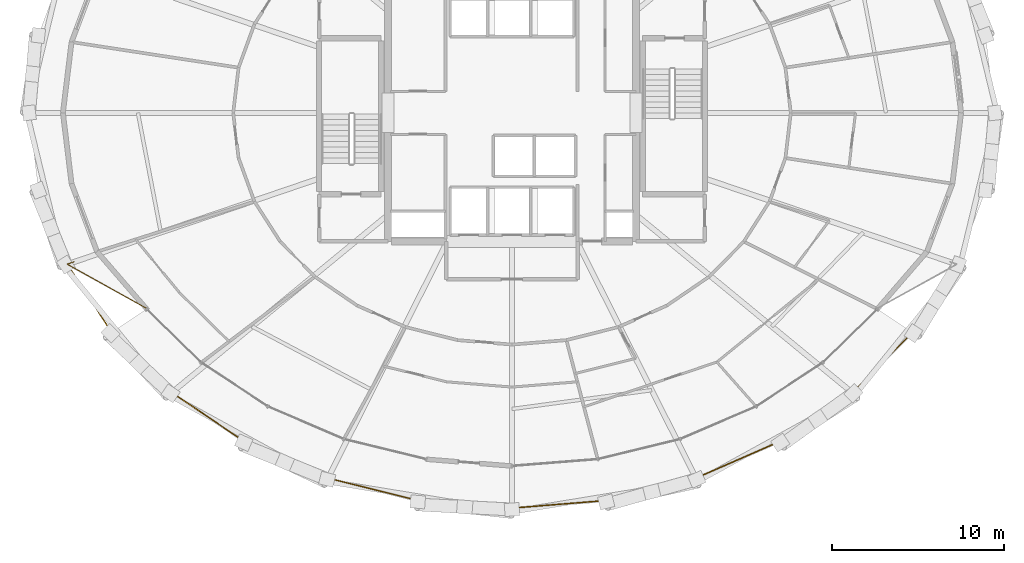
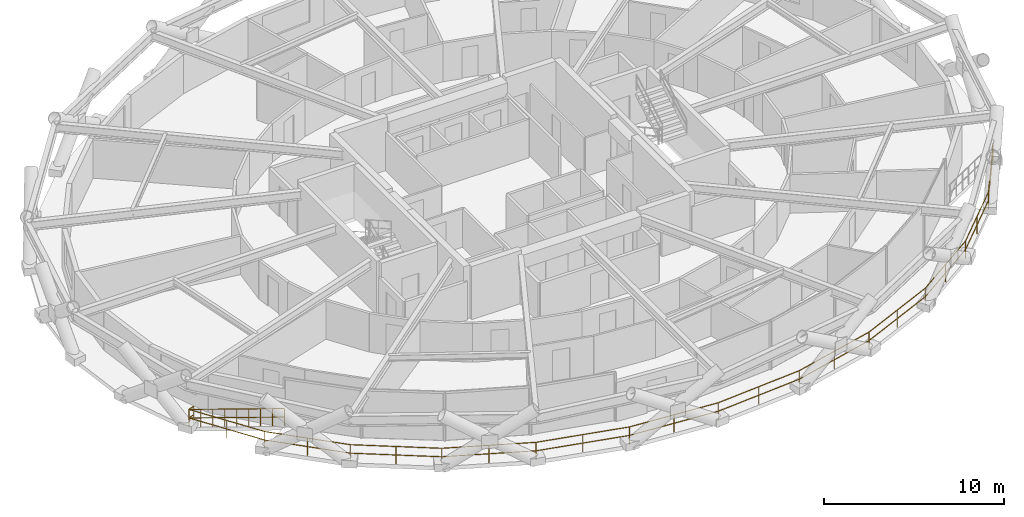
# One storey, part 17 of 18: 2 railings.
"""IFC4 building model written with IfcOpenShell, lengths in metres."""

from ifc_helpers import new_model, si_unit, direction, frame, origin, origin_2d, place, context, subcontext, project, spatial, circle, extrude, material, type_object, element, save


model = new_model("IFC4")

# Units and contexts
model_context = context("Model", 3, precision=1e-05, world=origin(), true_north=direction((0.0, 1.0)))
body_context = subcontext(model_context, "Body", "Model", "MODEL_VIEW")
ifc_project = project(units=[si_unit("LENGTHUNIT", "METRE"), si_unit("AREAUNIT", "SQUARE_METRE"), si_unit("VOLUMEUNIT", "CUBIC_METRE"), si_unit("PLANEANGLEUNIT", "RADIAN"), si_unit("MASSUNIT", "GRAM", prefix="KILO")], contexts=[model_context])

# Site, building, storey
site_placement = place(None, origin())
site = spatial("IfcSite", under=ifc_project, at=site_placement, CompositionType="ELEMENT")
building_placement = place(site_placement, origin())
building = spatial("IfcBuilding", under=site, at=building_placement, Name="Veldorina Hangang Commons", CompositionType="ELEMENT")
storey_placement = place(building_placement, frame((0.0, 0.0, 41.199951171875)))
storey = spatial("IfcBuildingStorey", under=building, at=storey_placement, Name="L09", CompositionType="ELEMENT", Elevation=41.199951171875)

# Railings
ifc_material = material(Name="Glass Laminated Safety Balustrade", Category="glass")
railing_type = type_object("IfcRailingType", Name="RL-BAL-LOGGIA", PredefinedType="BALUSTRADE", material=ifc_material)
railing_1_placement = place(storey_placement, frame((6.60888671875, 15.361083984375, 0.0)))
element("IfcRailing", 1, at=railing_1_placement, inside=storey, type_object=railing_type, Name="L09 sky-garden loggia end balustrade A", PredefinedType="BALUSTRADE", context=body_context, shape_type="SweptSolid", body=[
    extrude(circle(Radius=0.02392578125, at=origin_2d()), frame((0.0, 0.0, 1.17578125), z_axis=(-0.946747944292, -0.321975666751, 0.0), x_axis=(0.321975666751, -0.946747944292, 0.0)), (0.0, 0.0, 1.0), 0.420166015625),
    extrude(circle(Radius=0.02392578125, at=origin_2d()), frame((0.0, 0.0, 0.60009765625), z_axis=(-0.946747944292, -0.321975666751, 0.0), x_axis=(0.321975666751, -0.946747944292, 0.0)), (0.0, 0.0, 1.0), 0.420166015625),
    extrude(circle(Radius=0.02392578125, at=origin_2d()), frame((-0.397705078125, -0.13525390625, 1.17578125), z_axis=(0.873870962413, -0.486157938382, 0.0), x_axis=(0.486157938382, 0.873870962413, 0.0)), (0.0, 0.0, 1.0), 5.31201171875),
    extrude(circle(Radius=0.02392578125, at=origin_2d()), frame((-0.397705078125, -0.13525390625, 0.60009765625), z_axis=(0.873870962413, -0.486157938382, 0.0), x_axis=(0.486157938382, 0.873870962413, 0.0)), (0.0, 0.0, 1.0), 5.31201171875),
    extrude(circle(Radius=0.02099609375, at=origin_2d()), origin(), (0.0, 0.0, 1.0), 1.15185546875),
    extrude(circle(Radius=0.02099609375, at=origin_2d()), frame((-0.397705078125, -0.13525390625, 0.0)), (0.0, 0.0, 1.0), 1.15185546875),
    extrude(circle(Radius=0.02099609375, at=origin_2d()), frame((0.1826171875, -0.4580078125, 0.0)), (0.0, 0.0, 1.0), 1.15185546875),
    extrude(circle(Radius=0.02099609375, at=origin_2d()), frame((0.7626953125, -0.78076171875, 0.0)), (0.0, 0.0, 1.0), 1.15185546875),
    extrude(circle(Radius=0.02099609375, at=origin_2d()), frame((1.343017578125, -1.103759765625, 0.0)), (0.0, 0.0, 1.0), 1.15185546875),
    extrude(circle(Radius=0.02099609375, at=origin_2d()), frame((1.92333984375, -1.426513671875, 0.0)), (0.0, 0.0, 1.0), 1.15185546875),
    extrude(circle(Radius=0.02099609375, at=origin_2d()), frame((2.503662109375, -1.749267578125, 0.0)), (0.0, 0.0, 1.0), 1.15185546875),
    extrude(circle(Radius=0.02099609375, at=origin_2d()), frame((3.083984375, -2.072265625, 0.0)), (0.0, 0.0, 1.0), 1.15185546875),
    extrude(circle(Radius=0.02099609375, at=origin_2d()), frame((3.6640625, -2.39501953125, 0.0)), (0.0, 0.0, 1.0), 1.15185546875),
    extrude(circle(Radius=0.02099609375, at=origin_2d()), frame((4.244384765625, -2.7177734375, 0.0)), (0.0, 0.0, 1.0), 1.15185546875),
])
railing_2_placement = place(storey_placement, frame((6.211181640625, 15.225830078125, 0.0)))
element("IfcRailing", 2, at=railing_2_placement, inside=storey, type_object=railing_type, Name="L09 sky-garden loggia outer balustrade", PredefinedType="BALUSTRADE", context=body_context, shape_type="SweptSolid", body=[
    extrude(circle(Radius=0.02392578125, at=origin_2d()), frame((0.0, 0.0, 1.17578125), z_axis=(0.545829962805, -0.837895967113, 0.0), x_axis=(0.837895967113, 0.545829962805, 0.0)), (0.0, 0.0, 1.0), 4.7294921875),
    extrude(circle(Radius=0.02392578125, at=origin_2d()), frame((0.0, 0.0, 0.60009765625), z_axis=(0.545829962805, -0.837895967113, 0.0), x_axis=(0.837895967113, 0.545829962805, 0.0)), (0.0, 0.0, 1.0), 4.7294921875),
    extrude(circle(Radius=0.02392578125, at=origin_2d()), frame((2.58154296875, -3.962890625, 1.17578125), z_axis=(0.70720619167, -0.707007356725, 0.0), x_axis=(0.707007356725, 0.70720619167, 0.0)), (0.0, 0.0, 1.0), 4.911376953125),
    extrude(circle(Radius=0.02392578125, at=origin_2d()), frame((2.58154296875, -3.962890625, 0.60009765625), z_axis=(0.70720619167, -0.707007356725, 0.0), x_axis=(0.707007356725, 0.70720619167, 0.0)), (0.0, 0.0, 1.0), 4.911376953125),
    extrude(circle(Radius=0.02392578125, at=origin_2d()), frame((6.054931640625, -7.435302734375, 1.17578125), z_axis=(0.829530605325, -0.558461256337, 0.0), x_axis=(0.558461256337, 0.829530605325, 0.0)), (0.0, 0.0, 1.0), 5.100341796875),
    extrude(circle(Radius=0.02392578125, at=origin_2d()), frame((6.054931640625, -7.435302734375, 0.60009765625), z_axis=(0.829530605325, -0.558461256337, 0.0), x_axis=(0.558461256337, 0.829530605325, 0.0)), (0.0, 0.0, 1.0), 5.100341796875),
    extrude(circle(Radius=0.02392578125, at=origin_2d()), frame((10.285888671875, -10.28369140625, 1.17578125), z_axis=(0.915836942479, -0.401550363953, 0.0), x_axis=(0.401550363953, 0.915836942479, 0.0)), (0.0, 0.0, 1.0), 5.268798828125),
    extrude(circle(Radius=0.02392578125, at=origin_2d()), frame((10.285888671875, -10.28369140625, 0.60009765625), z_axis=(0.915836942479, -0.401550363953, 0.0), x_axis=(0.401550363953, 0.915836942479, 0.0)), (0.0, 0.0, 1.0), 5.268798828125),
    extrude(circle(Radius=0.02392578125, at=origin_2d()), frame((15.111328125, -12.3994140625, 1.17578125), z_axis=(0.970432005844, -0.24137465077, 0.0), x_axis=(0.24137465077, 0.970432005844, 0.0)), (0.0, 0.0, 1.0), 5.39404296875),
    extrude(circle(Radius=0.02392578125, at=origin_2d()), frame((15.111328125, -12.3994140625, 0.60009765625), z_axis=(0.970432005844, -0.24137465077, 0.0), x_axis=(0.24137465077, 0.970432005844, 0.0)), (0.0, 0.0, 1.0), 5.39404296875),
    extrude(circle(Radius=0.02392578125, at=origin_2d()), frame((20.345947265625, -13.701416015625, 1.17578125), z_axis=(0.996752851933, -0.080521749634, 0.0), x_axis=(0.080521749634, 0.996752851933, 0.0)), (0.0, 0.0, 1.0), 5.460693359375),
    extrude(circle(Radius=0.02392578125, at=origin_2d()), frame((20.345947265625, -13.701416015625, 0.60009765625), z_axis=(0.996752851933, -0.080521749634, 0.0), x_axis=(0.080521749634, 0.996752851933, 0.0)), (0.0, 0.0, 1.0), 5.460693359375),
    extrude(circle(Radius=0.02392578125, at=origin_2d()), frame((25.788818359375, -14.14111328125, 1.17578125), z_axis=(0.996752851933, 0.080521749634, 0.0), x_axis=(-0.080521749634, 0.996752851933, 0.0)), (0.0, 0.0, 1.0), 5.460693359375),
    extrude(circle(Radius=0.02392578125, at=origin_2d()), frame((25.788818359375, -14.14111328125, 0.60009765625), z_axis=(0.996752851933, 0.080521749634, 0.0), x_axis=(-0.080521749634, 0.996752851933, 0.0)), (0.0, 0.0, 1.0), 5.460693359375),
    extrude(circle(Radius=0.02392578125, at=origin_2d()), frame((31.231689453125, -13.701416015625, 1.17578125), z_axis=(0.970432005844, 0.24137465077, 0.0), x_axis=(-0.24137465077, 0.970432005844, 0.0)), (0.0, 0.0, 1.0), 5.39404296875),
    extrude(circle(Radius=0.02392578125, at=origin_2d()), frame((31.231689453125, -13.701416015625, 0.60009765625), z_axis=(0.970432005844, 0.24137465077, 0.0), x_axis=(-0.24137465077, 0.970432005844, 0.0)), (0.0, 0.0, 1.0), 5.39404296875),
    extrude(circle(Radius=0.02392578125, at=origin_2d()), frame((36.46630859375, -12.3994140625, 1.17578125), z_axis=(0.915836942479, 0.401550363953, 0.0), x_axis=(-0.401550363953, 0.915836942479, 0.0)), (0.0, 0.0, 1.0), 5.268798828125),
    extrude(circle(Radius=0.02392578125, at=origin_2d()), frame((36.46630859375, -12.3994140625, 0.60009765625), z_axis=(0.915836942479, 0.401550363953, 0.0), x_axis=(-0.401550363953, 0.915836942479, 0.0)), (0.0, 0.0, 1.0), 5.268798828125),
    extrude(circle(Radius=0.02392578125, at=origin_2d()), frame((41.291748046875, -10.28369140625, 1.17578125), z_axis=(0.829530605325, 0.558461256337, 0.0), x_axis=(-0.558461256337, 0.829530605325, 0.0)), (0.0, 0.0, 1.0), 5.100341796875),
    extrude(circle(Radius=0.02392578125, at=origin_2d()), frame((41.291748046875, -10.28369140625, 0.60009765625), z_axis=(0.829530605325, 0.558461256337, 0.0), x_axis=(-0.558461256337, 0.829530605325, 0.0)), (0.0, 0.0, 1.0), 5.100341796875),
    extrude(circle(Radius=0.02392578125, at=origin_2d()), frame((45.522705078125, -7.435302734375, 1.17578125), z_axis=(0.70720619167, 0.707007356725, 0.0), x_axis=(-0.707007356725, 0.70720619167, 0.0)), (0.0, 0.0, 1.0), 4.911376953125),
    extrude(circle(Radius=0.02392578125, at=origin_2d()), frame((45.522705078125, -7.435302734375, 0.60009765625), z_axis=(0.70720619167, 0.707007356725, 0.0), x_axis=(-0.707007356725, 0.70720619167, 0.0)), (0.0, 0.0, 1.0), 4.911376953125),
    extrude(circle(Radius=0.02392578125, at=origin_2d()), frame((48.99609375, -3.962890625, 1.17578125), z_axis=(0.545829962805, 0.837895967113, 0.0), x_axis=(-0.837895967113, 0.545829962805, 0.0)), (0.0, 0.0, 1.0), 4.7294921875),
    extrude(circle(Radius=0.02392578125, at=origin_2d()), frame((48.99609375, -3.962890625, 0.60009765625), z_axis=(0.545829962805, 0.837895967113, 0.0), x_axis=(-0.837895967113, 0.545829962805, 0.0)), (0.0, 0.0, 1.0), 4.7294921875),
    extrude(circle(Radius=0.02099609375, at=origin_2d()), origin(), (0.0, 0.0, 1.0), 1.15185546875),
    extrude(circle(Radius=0.02099609375, at=origin_2d()), frame((1.290771484375, -1.9814453125, 0.0)), (0.0, 0.0, 1.0), 1.15185546875),
    extrude(circle(Radius=0.02099609375, at=origin_2d()), frame((2.58154296875, -3.962890625, 0.0)), (0.0, 0.0, 1.0), 1.15185546875),
    extrude(circle(Radius=0.02099609375, at=origin_2d()), frame((4.318359375, -5.69921875, 0.0)), (0.0, 0.0, 1.0), 1.15185546875),
    extrude(circle(Radius=0.02099609375, at=origin_2d()), frame((6.054931640625, -7.435302734375, 0.0)), (0.0, 0.0, 1.0), 1.15185546875),
    extrude(circle(Radius=0.02099609375, at=origin_2d()), frame((8.17041015625, -8.859375, 0.0)), (0.0, 0.0, 1.0), 1.15185546875),
    extrude(circle(Radius=0.02099609375, at=origin_2d()), frame((10.285888671875, -10.28369140625, 0.0)), (0.0, 0.0, 1.0), 1.15185546875),
    extrude(circle(Radius=0.02099609375, at=origin_2d()), frame((12.69873046875, -11.341552734375, 0.0)), (0.0, 0.0, 1.0), 1.15185546875),
    extrude(circle(Radius=0.02099609375, at=origin_2d()), frame((15.111328125, -12.3994140625, 0.0)), (0.0, 0.0, 1.0), 1.15185546875),
    extrude(circle(Radius=0.02099609375, at=origin_2d()), frame((17.728515625, -13.05029296875, 0.0)), (0.0, 0.0, 1.0), 1.15185546875),
    extrude(circle(Radius=0.02099609375, at=origin_2d()), frame((20.345947265625, -13.701416015625, 0.0)), (0.0, 0.0, 1.0), 1.15185546875),
    extrude(circle(Radius=0.02099609375, at=origin_2d()), frame((23.0673828125, -13.92138671875, 0.0)), (0.0, 0.0, 1.0), 1.15185546875),
    extrude(circle(Radius=0.02099609375, at=origin_2d()), frame((25.788818359375, -14.14111328125, 0.0)), (0.0, 0.0, 1.0), 1.15185546875),
    extrude(circle(Radius=0.02099609375, at=origin_2d()), frame((28.51025390625, -13.92138671875, 0.0)), (0.0, 0.0, 1.0), 1.15185546875),
    extrude(circle(Radius=0.02099609375, at=origin_2d()), frame((31.231689453125, -13.701416015625, 0.0)), (0.0, 0.0, 1.0), 1.15185546875),
    extrude(circle(Radius=0.02099609375, at=origin_2d()), frame((33.84912109375, -13.05029296875, 0.0)), (0.0, 0.0, 1.0), 1.15185546875),
    extrude(circle(Radius=0.02099609375, at=origin_2d()), frame((36.46630859375, -12.3994140625, 0.0)), (0.0, 0.0, 1.0), 1.15185546875),
    extrude(circle(Radius=0.02099609375, at=origin_2d()), frame((38.87890625, -11.341552734375, 0.0)), (0.0, 0.0, 1.0), 1.15185546875),
    extrude(circle(Radius=0.02099609375, at=origin_2d()), frame((41.291748046875, -10.28369140625, 0.0)), (0.0, 0.0, 1.0), 1.15185546875),
    extrude(circle(Radius=0.02099609375, at=origin_2d()), frame((43.4072265625, -8.859375, 0.0)), (0.0, 0.0, 1.0), 1.15185546875),
    extrude(circle(Radius=0.02099609375, at=origin_2d()), frame((45.522705078125, -7.435302734375, 0.0)), (0.0, 0.0, 1.0), 1.15185546875),
    extrude(circle(Radius=0.02099609375, at=origin_2d()), frame((47.25927734375, -5.69921875, 0.0)), (0.0, 0.0, 1.0), 1.15185546875),
    extrude(circle(Radius=0.02099609375, at=origin_2d()), frame((48.99609375, -3.962890625, 0.0)), (0.0, 0.0, 1.0), 1.15185546875),
    extrude(circle(Radius=0.02099609375, at=origin_2d()), frame((50.286865234375, -1.9814453125, 0.0)), (0.0, 0.0, 1.0), 1.15185546875),
    extrude(circle(Radius=0.02099609375, at=origin_2d()), frame((51.57763671875, 0.0, 0.0)), (0.0, 0.0, 1.0), 1.15185546875),
])

save(model, "model.ifc")
